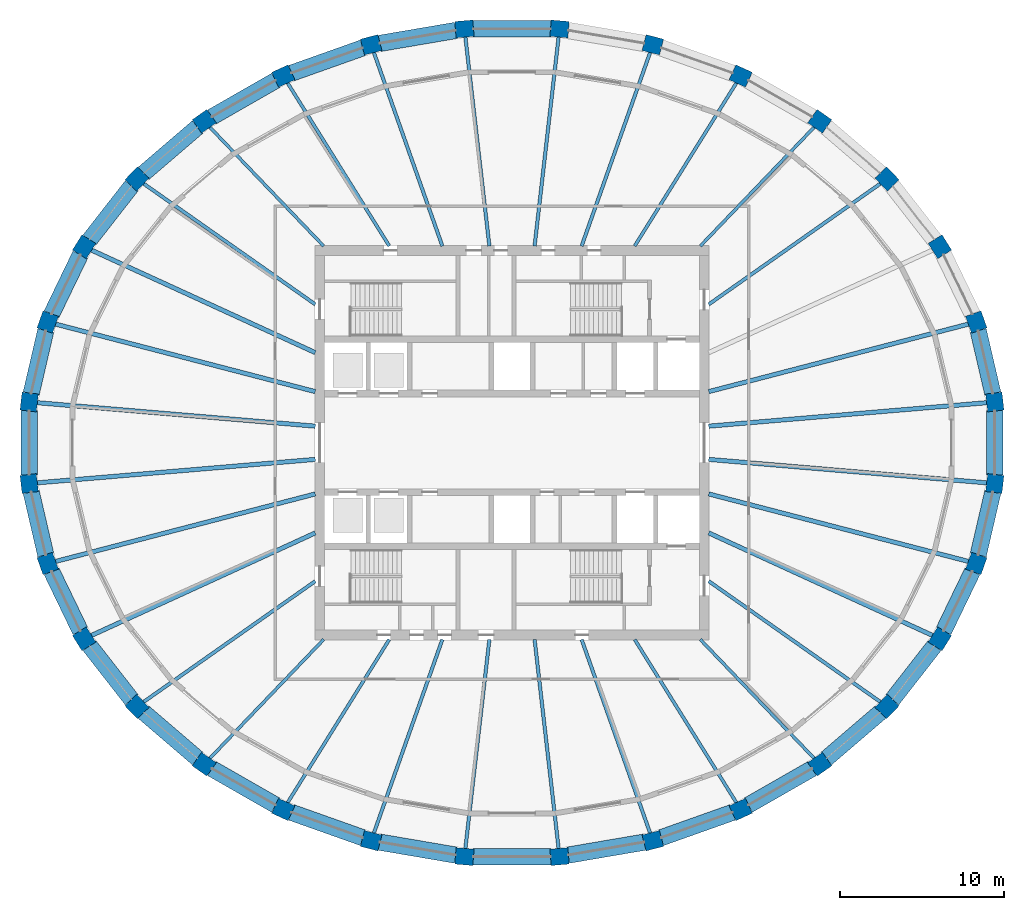
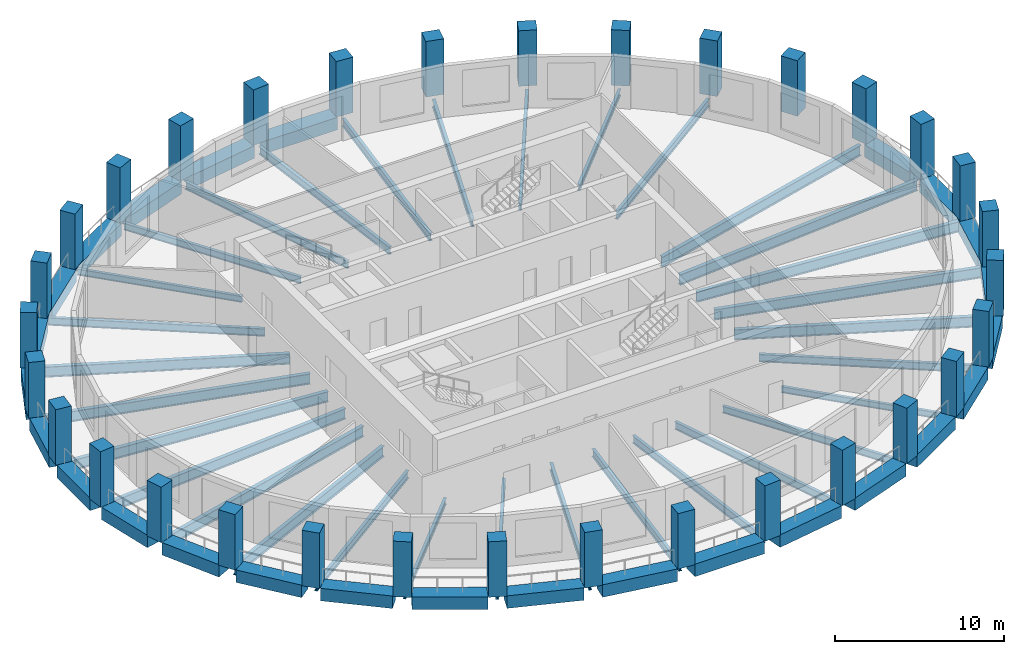
# One storey, part 1 of 10: 57 beams, 32 columns.
"""IFC4 building model written with IfcOpenShell, lengths in metres."""

import ifcopenshell
import ifcopenshell.guid

model = None  # the IFC model being written
_history = None  # IfcOwnerHistory: only IFC2X3 demands one
_inside = {}  # id of a spatial element -> (the spatial element, [elements in it])
_under = {}  # id of a project, library or spatial element -> (it, [spatial elements below it])
_declared = {}  # id of a project -> (the project, [libraries it declares])
_typed = {}  # id of a type object -> (the type object, [elements of that type])
_made_of = {}  # id of a material, layer set ... -> (it, [elements and type objects made of it])


def new_model(schema):
    """Start an empty IFC model of exactly this schema.

    Asked for "IFC4X3", IfcOpenShell would pick the latest addendum, in which some entities
    have other attributes; the version numbers below select the first issue.
    IFC2X3 requires an IfcOwnerHistory on every rooted entity: one is made here for all.
    """
    global model, _history
    if schema == "IFC4X3":
        model = ifcopenshell.file(schema_version=(4, 3, 0, 0))
    else:
        model = ifcopenshell.file(schema=schema)
    _inside.clear()
    _under.clear()
    _declared.clear()
    _typed.clear()
    _made_of.clear()
    _history = None
    if model.schema == "IFC2X3":
        org = make("IfcOrganization", Name="unknown")
        user = make(
            "IfcPersonAndOrganization",
            ThePerson=make("IfcPerson", FamilyName="unknown"),
            TheOrganization=org,
        )
        app = make(
            "IfcApplication",
            ApplicationDeveloper=org,
            Version="unknown",
            ApplicationFullName="unknown",
            ApplicationIdentifier="unknown",
        )
        _history = make(
            "IfcOwnerHistory",
            OwningUser=user,
            OwningApplication=app,
            ChangeAction="ADDED",
            CreationDate=0,
        )
    return model


def make(cls, **values):
    """One entity of the class cls with the attributes given. An attribute that is None is left unset."""
    return model.create_entity(
        cls, **{name: value for name, value in values.items() if value is not None}
    )


def rooted(cls, **values):
    """An entity with a GlobalId (a new one), such as an element, a storey or a relation."""
    return make(cls, GlobalId=ifcopenshell.guid.new(), OwnerHistory=_history, **values)


def si_unit(unit_type, name, prefix=None):
    """IfcSIUnit, for example si_unit("LENGTHUNIT", "METRE", prefix="MILLI")."""
    return make("IfcSIUnit", UnitType=unit_type, Prefix=prefix, Name=name)


def assignment(units):
    """IfcUnitAssignment: the units of a project."""
    return None if units is None else make("IfcUnitAssignment", Units=units)


def point(xyz):
    """IfcCartesianPoint."""
    return None if xyz is None else make("IfcCartesianPoint", Coordinates=xyz)


def direction(xyz):
    """IfcDirection."""
    return None if xyz is None else make("IfcDirection", DirectionRatios=xyz)


def frame(location, z_axis=None, x_axis=None):
    """IfcAxis2Placement3D, a coordinate frame: its origin and axes. An axis left out is left unset."""
    return make(
        "IfcAxis2Placement3D",
        Location=point(location),
        Axis=direction(z_axis),
        RefDirection=direction(x_axis),
    )


def frame_2d(location, x_axis=None):
    """IfcAxis2Placement2D, a coordinate frame in the plane: its origin and x axis."""
    return make(
        "IfcAxis2Placement2D", Location=point(location), RefDirection=direction(x_axis)
    )


def origin():
    """The frame at (0, 0, 0) with its axes left unset."""
    return frame((0.0, 0.0, 0.0))


def origin_2d():
    """The frame at (0, 0) in the plane with its x axis left unset."""
    return frame_2d((0.0, 0.0))


def place(relative_to, where):
    """IfcLocalPlacement: puts the frame where relative to a parent placement (None: the world)."""
    return make(
        "IfcLocalPlacement", PlacementRelTo=relative_to, RelativePlacement=where
    )


def context(
    kind, dimensions, precision=None, world=None, true_north=None, identifier=None
):
    """IfcGeometricRepresentationContext, for example the 3D "Model" context."""
    return make(
        "IfcGeometricRepresentationContext",
        ContextIdentifier=identifier,
        ContextType=kind,
        CoordinateSpaceDimension=dimensions,
        Precision=precision,
        WorldCoordinateSystem=world,
        TrueNorth=true_north,
    )


def subcontext(parent, identifier, kind, view, scale=None):
    """IfcGeometricRepresentationSubContext, for example "Body" below "Model"."""
    return make(
        "IfcGeometricRepresentationSubContext",
        ContextIdentifier=identifier,
        ContextType=kind,
        ParentContext=parent,
        TargetScale=scale,
        TargetView=view,
    )


def project(units=None, contexts=None):
    """IfcProject with its units and contexts."""
    return rooted(
        "IfcProject",
        Name="project",
        RepresentationContexts=contexts,
        UnitsInContext=assignment(units),
    )


def spatial(cls, under=None, at=None, **own):
    """A site, building, storey or space (cls), placed at a placement, below another one or the project."""
    s = rooted(cls, ObjectPlacement=at, **own)
    if under is not None:
        _under.setdefault(under.id(), (under, []))[1].append(s)
    return s


def profile(cls, at=None, kind="AREA", **sizes):
    """A parametric profile (cls). Its sizes go by their IFC names, for example OverallWidth=200.0."""
    return make(cls, ProfileType=kind, Position=at, **sizes)


def rectangle(**sizes):
    """IfcRectangleProfileDef."""
    return profile("IfcRectangleProfileDef", **sizes)


def i_section(**sizes):
    """IfcIShapeProfileDef."""
    return profile("IfcIShapeProfileDef", **sizes)


def extrude(swept, where, along, depth):
    """IfcExtrudedAreaSolid: the profile swept, set in the frame where, extruded along a direction by depth."""
    return make(
        "IfcExtrudedAreaSolid",
        SweptArea=swept,
        Position=where,
        ExtrudedDirection=direction(along),
        Depth=depth,
    )


def shape(context_of_items, identifier, shape_type, items):
    """IfcShapeRepresentation: the items that make up one representation, for example the "Body"."""
    return make(
        "IfcShapeRepresentation",
        ContextOfItems=context_of_items,
        RepresentationIdentifier=identifier,
        RepresentationType=shape_type,
        Items=items,
    )


def material(Name=None, Category=None):
    """IfcMaterial."""
    return make("IfcMaterial", Name=Name, Category=Category)


def material_profile(
    of_material, cross_section, Name=None, Category=None, Priority=None
):
    """IfcMaterialProfile: a cross section and its material."""
    return make(
        "IfcMaterialProfile",
        Name=Name,
        Material=of_material,
        Profile=cross_section,
        Priority=Priority,
        Category=Category,
    )


def profile_set(profiles, Name=None, composite=None):
    """IfcMaterialProfileSet."""
    return make(
        "IfcMaterialProfileSet",
        Name=Name,
        MaterialProfiles=profiles,
        CompositeProfile=composite,
    )


def made_of(thing, what):
    """Note that an element or type object is made of a material, layer set ...; save() writes the relation."""
    if what is not None:
        _made_of.setdefault(what.id(), (what, []))[1].append(thing)
    return thing


def type_object(cls, material=None, **own):
    """A type object (cls), such as IfcWallType, which elements share."""
    return made_of(rooted(cls, **own), material)


def element(
    cls,
    number,
    at=None,
    inside=None,
    cuts=None,
    type_object=None,
    material=None,
    context=None,
    identifier="Body",
    shape_type=None,
    held_by="IfcProductDefinitionShape",
    body=None,
    shapes=None,
    **own,
):
    """One element of the class cls, such as IfcWall. Its Tag is "e" and its number.

    at: its placement. inside: the storey or other place that contains it. cuts: it is an
    opening in that element (IfcRelVoidsElement). A single representation is given by context,
    identifier, shape_type and body (its items); several are given by shapes. held_by: the class
    of the entity that holds the representations. save() writes the other relations.
    """
    e = rooted(cls, Tag="e%d" % number, ObjectPlacement=at, **own)
    if body is not None:
        shapes = [shape(context, identifier, shape_type, body)]
    if shapes is not None:
        e.Representation = make(held_by, Representations=shapes)
    if inside is not None:
        _inside.setdefault(inside.id(), (inside, []))[1].append(e)
    if cuts is not None:
        rooted(
            "IfcRelVoidsElement", RelatingBuildingElement=cuts, RelatedOpeningElement=e
        )
    if type_object is not None:
        _typed.setdefault(type_object.id(), (type_object, []))[1].append(e)
    return made_of(e, material)


def aggregate(whole, parts):
    """IfcRelAggregates: a whole, such as a stair, and the parts it consists of."""
    return rooted("IfcRelAggregates", RelatingObject=whole, RelatedObjects=parts)


def save(model, path):
    """Write the relations noted so far, then the file.

    IfcRelAggregates (storeys below a building ...), IfcRelContainedInSpatialStructure (elements
    in a storey), IfcRelDefinesByType, IfcRelAssociatesMaterial and IfcRelDeclares: one each for
    every whole, place, type object, material and project.
    """
    for whole, parts in _under.values():
        aggregate(whole, parts)
    for where, things in _inside.values():
        rooted(
            "IfcRelContainedInSpatialStructure",
            RelatedElements=things,
            RelatingStructure=where,
        )
    for kind, things in _typed.values():
        rooted("IfcRelDefinesByType", RelatedObjects=things, RelatingType=kind)
    for what, things in _made_of.values():
        rooted("IfcRelAssociatesMaterial", RelatedObjects=things, RelatingMaterial=what)
    for by, libraries in _declared.values():
        rooted("IfcRelDeclares", RelatingContext=by, RelatedDefinitions=libraries)
    model.write(path)


model = new_model("IFC4")

# Units and contexts
model_context = context("Model", 3, precision=1e-05, world=origin(), true_north=direction((0.0, 1.0)))
body_context = subcontext(model_context, "Body", "Model", "MODEL_VIEW")
ifc_project = project(units=[si_unit("LENGTHUNIT", "METRE"), si_unit("AREAUNIT", "SQUARE_METRE"), si_unit("VOLUMEUNIT", "CUBIC_METRE"), si_unit("PLANEANGLEUNIT", "RADIAN"), si_unit("MASSUNIT", "GRAM", prefix="KILO")], contexts=[model_context])

# Site, building, storey
site_placement = place(None, origin())
site = spatial("IfcSite", under=ifc_project, at=site_placement, CompositionType="ELEMENT")
building_placement = place(site_placement, origin())
building = spatial("IfcBuilding", under=site, at=building_placement, Name="Halqa Exchange Tower", CompositionType="ELEMENT")
storey_placement = place(building_placement, frame((0.0, 0.0, 280.300048828125)))
storey = spatial("IfcBuildingStorey", under=building, at=storey_placement, Name="L65", CompositionType="ELEMENT", Elevation=280.300048828125)

# Columns
ifc_material_1 = material(Name="Concrete C60/75", Category="concrete")
ifc_material_profile_1 = material_profile(ifc_material_1, rectangle(XDim=1.10009765625, YDim=1.0, at=origin_2d()), Name="1100 x 1000")
ifc_profile_set_1 = profile_set([ifc_material_profile_1], Name="Concrete C60/75")
column_type = type_object("IfcColumnType", Name="RC ring column 1100 x 1000 C60/75", PredefinedType="COLUMN", material=ifc_profile_set_1)
for number, where, z_axis, x_axis, name in (
    (1, (29.384033203125, 2.480712890625, 0.0), (0.0, 0.0, 1.0), (-0.114155188058, 0.993462929877, 0.0), "Ring column 1"),
    (2, (28.2548828125, 7.3466796875, 0.0), (0.0, 0.0, 1.0), (-0.333619297574, 0.942707889161, 0.0), "Ring column 2"),
    (3, (26.039794921875, 11.930419921875, 0.0), (0.0, 0.0, 1.0), (-0.529143458197, 0.848532380435, 0.0), "Ring column 3"),
    (4, (22.82421875, 16.055419921875, 0.0), (0.0, 0.0, 1.0), (-0.691577351953, 0.722302406382, 0.0), "Ring column 4"),
    (5, (18.731201171875, 19.563720703125, 0.0), (0.0, 0.0, 1.0), (-0.817906779671, 0.575350762377, 0.0), "Ring column 5"),
    (6, (13.918701171875, 22.31982421875, 0.0), (0.0, 0.0, 1.0), (-0.909129276708, 0.416514055265, 0.0), "Ring column 6"),
    (7, (8.571044921875, 24.218505859375, 0.0), (0.0, 0.0, 1.0), (-0.967819942774, 0.251643713153, 0.0), "Ring column 7"),
    (8, (2.89404296875, 25.186279296875, 0.0), (0.0, 0.0, 1.0), (-0.996455518985, 0.084121333105, 0.0), "Ring column 8"),
    (9, (-2.89404296875, 25.186279296875, 0.0), (0.0, 0.0, 1.0), (-0.996455518985, -0.084121333105, 0.0), "Ring column 9"),
    (10, (-8.571044921875, 24.218505859375, 0.0), (0.0, 0.0, 1.0), (-0.967819942774, -0.251643713153, 0.0), "Ring column 10"),
    (11, (-13.918701171875, 22.31982421875, 0.0), (0.0, 0.0, 1.0), (-0.909129276708, -0.416514055265, 0.0), "Ring column 11"),
    (12, (-18.731201171875, 19.563720703125, 0.0), (0.0, 0.0, 1.0), (-0.817906779671, -0.575350762377, 0.0), "Ring column 12"),
    (13, (-22.82421875, 16.055419921875, 0.0), (0.0, 0.0, 1.0), (-0.691577351953, -0.722302406382, 0.0), "Ring column 13"),
    (14, (-26.039794921875, 11.930419921875, 0.0), (0.0, 0.0, 1.0), (-0.529143458197, -0.848532380435, 0.0), "Ring column 14"),
    (15, (-28.2548828125, 7.3466796875, 0.0), (0.0, 0.0, 1.0), (-0.333619297574, -0.942707889161, 0.0), "Ring column 15"),
    (16, (-29.384033203125, 2.480712890625, 0.0), (0.0, 0.0, 1.0), (-0.114155188058, -0.993462929877, 0.0), "Ring column 16"),
    (17, (-29.384033203125, -2.480712890625, 0.0), (0.0, 0.0, 1.0), (0.114155188058, -0.993462929877, 0.0), "Ring column 17"),
    (18, (-28.2548828125, -7.3466796875, 0.0), (0.0, 0.0, 1.0), (0.333619297574, -0.942707889161, 0.0), "Ring column 18"),
    (19, (-26.039794921875, -11.930419921875, 0.0), (0.0, 0.0, 1.0), (0.529143458197, -0.848532380435, 0.0), "Ring column 19"),
    (20, (-22.82421875, -16.055419921875, 0.0), (0.0, 0.0, 1.0), (0.691577351953, -0.722302406382, 0.0), "Ring column 20"),
    (21, (-18.731201171875, -19.563720703125, 0.0), (0.0, 0.0, 1.0), (0.817906779671, -0.575350762377, 0.0), "Ring column 21"),
    (22, (-13.918701171875, -22.31982421875, 0.0), (0.0, 0.0, 1.0), (0.909129276708, -0.416514055265, 0.0), "Ring column 22"),
    (23, (-8.571044921875, -24.218505859375, 0.0), (0.0, 0.0, 1.0), (0.967819942774, -0.251643713153, 0.0), "Ring column 23"),
    (24, (-2.89404296875, -25.186279296875, 0.0), (0.0, 0.0, 1.0), (0.996455518985, -0.084121333105, 0.0), "Ring column 24"),
    (25, (2.89404296875, -25.186279296875, 0.0), (0.0, 0.0, 1.0), (0.996455518985, 0.084121333105, 0.0), "Ring column 25"),
    (26, (8.571044921875, -24.218505859375, 0.0), (0.0, 0.0, 1.0), (0.967819942774, 0.251643713153, 0.0), "Ring column 26"),
    (27, (13.918701171875, -22.31982421875, 0.0), (0.0, 0.0, 1.0), (0.909129276708, 0.416514055265, 0.0), "Ring column 27"),
    (28, (18.731201171875, -19.563720703125, 0.0), (0.0, 0.0, 1.0), (0.817906779671, 0.575350762377, 0.0), "Ring column 28"),
    (29, (22.82421875, -16.055419921875, 0.0), (0.0, 0.0, 1.0), (0.691577351953, 0.722302406382, 0.0), "Ring column 29"),
    (30, (26.039794921875, -11.930419921875, 0.0), (0.0, 0.0, 1.0), (0.529143458197, 0.848532380435, 0.0), "Ring column 30"),
    (31, (28.2548828125, -7.3466796875, 0.0), (0.0, 0.0, 1.0), (0.333619297574, 0.942707889161, 0.0), "Ring column 31"),
    (32, (29.384033203125, -2.480712890625, 0.0), (0.0, 0.0, 1.0), (0.114155188058, 0.993462929877, 0.0), "Ring column 32"),
):
    element("IfcColumn", number, at=place(storey_placement, frame(where, z_axis=z_axis, x_axis=x_axis)), inside=storey, type_object=column_type, Name=name, PredefinedType="COLUMN", context=body_context, shape_type="SweptSolid", body=[
        extrude(rectangle(XDim=1.10009765625, YDim=1.0, at=origin_2d()), origin(), (0.0, 0.0, 1.0), 4.0),
    ])

# Beams
ifc_material_2 = material(Name="Steel S355", Category="steel")
ifc_material_profile_2 = material_profile(ifc_material_2, i_section(OverallWidth=0.18994140625, OverallDepth=0.449951171875, WebThickness=0.009521484375, FlangeThickness=0.0146484375, FilletRadius=0.02099609375, at=origin_2d()), Name="IPE 450")
ifc_profile_set_2 = profile_set([ifc_material_profile_2], Name="Steel S355")
beam_type_1 = type_object("IfcBeamType", Name="Floor beam IPE 450", PredefinedType="BEAM", material=ifc_profile_set_2)
for number, where, z_axis, x_axis, name in (
    (33, (11.462890625, 11.97216796875, -0.525146484375), (0.691569359683, 0.722310058595, 0.0), (-0.722310058595, 0.691569359683, 0.0), "Radial beam 5"),
    (34, (-11.462890625, 11.97216796875, -0.525146484375), (-0.691569359683, 0.722310058595, 0.0), (-0.722310058595, -0.691569359683, 0.0), "Radial beam 12"),
    (35, (-11.462890625, -11.97216796875, -0.525146484375), (-0.691569359683, -0.722310058595, 0.0), (0.722310058595, -0.691569359683, 0.0), "Radial beam 21"),
    (36, (11.462890625, -11.97216796875, -0.525146484375), (0.691569359683, -0.722310058595, 0.0), (0.722310058595, 0.691569359683, 0.0), "Radial beam 28"),
):
    element("IfcBeam", number, at=place(storey_placement, frame(where, z_axis=z_axis, x_axis=x_axis)), inside=storey, type_object=beam_type_1, Name=name, PredefinedType="BEAM", context=body_context, shape_type="SweptSolid", body=[
        extrude(i_section(OverallWidth=0.18994140625, OverallDepth=0.449951171875, WebThickness=0.009521484375, FlangeThickness=0.0146484375, FilletRadius=0.02099609375, at=origin_2d()), origin(), (0.0, 0.0, 1.0), 10.1337890625),
    ])
ifc_material_profile_3 = material_profile(ifc_material_2, i_section(OverallWidth=0.199951171875, OverallDepth=0.5, WebThickness=0.01025390625, FlangeThickness=0.01611328125, FilletRadius=0.02099609375, at=origin_2d()), Name="IPE 500")
ifc_profile_set_3 = profile_set([ifc_material_profile_3], Name="Steel S355")
beam_type_2 = type_object("IfcBeamType", Name="Floor beam IPE 500", PredefinedType="BEAM", material=ifc_profile_set_3)
for number, where, z_axis, x_axis, name in (
    (37, (7.4658203125, 11.97216796875, -0.550048828125), (0.529125964216, 0.848543289404, 0.0), (-0.848543289404, 0.529125964216, 0.0), "Radial beam 6"),
    (38, (-7.4658203125, 11.97216796875, -0.550048828125), (-0.529125964216, 0.848543289404, 0.0), (-0.848543289404, -0.529125964216, 0.0), "Radial beam 11"),
    (39, (-7.4658203125, -11.97216796875, -0.550048828125), (-0.529125964216, -0.848543289404, 0.0), (0.848543289404, -0.529125964216, 0.0), "Radial beam 22"),
    (40, (7.4658203125, -11.97216796875, -0.550048828125), (0.529125964216, -0.848543289404, 0.0), (0.848543289404, 0.529125964216, 0.0), "Radial beam 27"),
):
    element("IfcBeam", number, at=place(storey_placement, frame(where, z_axis=z_axis, x_axis=x_axis)), inside=storey, type_object=beam_type_2, Name=name, PredefinedType="BEAM", context=body_context, shape_type="SweptSolid", body=[
        extrude(i_section(OverallWidth=0.199951171875, OverallDepth=0.5, WebThickness=0.01025390625, FlangeThickness=0.01611328125, FilletRadius=0.02099609375, at=origin_2d()), origin(), (0.0, 0.0, 1.0), 11.81884765625),
    ])
ifc_material_profile_4 = material_profile(ifc_material_2, i_section(OverallWidth=0.2099609375, OverallDepth=0.550048828125, WebThickness=0.010986328125, FlangeThickness=0.01708984375, FilletRadius=0.02392578125, at=origin_2d()), Name="IPE 550")
ifc_profile_set_4 = profile_set([ifc_material_profile_4], Name="Steel S355")
beam_type_3 = type_object("IfcBeamType", Name="Floor beam IPE 550", PredefinedType="BEAM", material=ifc_profile_set_4)
beam_1_placement = place(storey_placement, frame((11.97265625, 8.422119140625, -0.574951171875), z_axis=(0.817909403021, 0.575347033059, 0.0), x_axis=(-0.575347033059, 0.817909403021, 0.0)))
element("IfcBeam", 41, at=beam_1_placement, inside=storey, type_object=beam_type_3, Name="Radial beam 4", PredefinedType="BEAM", context=body_context, shape_type="SweptSolid", body=[
    extrude(i_section(OverallWidth=0.2099609375, OverallDepth=0.550048828125, WebThickness=0.010986328125, FlangeThickness=0.01708984375, FilletRadius=0.02392578125, at=origin_2d()), origin(), (0.0, 0.0, 1.0), 12.891357421875),
])
beam_2_placement = place(storey_placement, frame((4.23681640625, 11.971923828125, -0.574951171875), z_axis=(0.333635796759, 0.942702050025, 0.0), x_axis=(-0.942702050025, 0.333635796759, 0.0)))
element("IfcBeam", 42, at=beam_2_placement, inside=storey, type_object=beam_type_3, Name="Radial beam 7", PredefinedType="BEAM", context=body_context, shape_type="SweptSolid", body=[
    extrude(i_section(OverallWidth=0.2099609375, OverallDepth=0.550048828125, WebThickness=0.010986328125, FlangeThickness=0.01708984375, FilletRadius=0.02392578125, at=origin_2d()), origin(), (0.0, 0.0, 1.0), 12.616943359375),
])
for number, where, z_axis, x_axis, name in (
    (43, (1.37548828125, 11.9716796875, -0.574951171875), (0.114161112219, 0.993462249135, 0.0), (-0.993462249135, 0.114161112219, 0.0), "Radial beam 8"),
    (44, (-1.37548828125, 11.9716796875, -0.574951171875), (-0.114161112219, 0.993462249135, 0.0), (-0.993462249135, -0.114161112219, 0.0), "Radial beam 9"),
):
    element("IfcBeam", number, at=place(storey_placement, frame(where, z_axis=z_axis, x_axis=x_axis)), inside=storey, type_object=beam_type_3, Name=name, PredefinedType="BEAM", context=body_context, shape_type="SweptSolid", body=[
        extrude(i_section(OverallWidth=0.2099609375, OverallDepth=0.550048828125, WebThickness=0.010986328125, FlangeThickness=0.01708984375, FilletRadius=0.02392578125, at=origin_2d()), origin(), (0.0, 0.0, 1.0), 12.9296875),
    ])
beam_3_placement = place(storey_placement, frame((-4.23681640625, 11.971923828125, -0.574951171875), z_axis=(-0.333635796759, 0.942702050025, 0.0), x_axis=(-0.942702050025, -0.333635796759, 0.0)))
element("IfcBeam", 45, at=beam_3_placement, inside=storey, type_object=beam_type_3, Name="Radial beam 10", PredefinedType="BEAM", context=body_context, shape_type="SweptSolid", body=[
    extrude(i_section(OverallWidth=0.2099609375, OverallDepth=0.550048828125, WebThickness=0.010986328125, FlangeThickness=0.01708984375, FilletRadius=0.02392578125, at=origin_2d()), origin(), (0.0, 0.0, 1.0), 12.616943359375),
])
for number, where, z_axis, x_axis, name in (
    (46, (-11.97265625, 8.422119140625, -0.574951171875), (-0.817909403021, 0.575347033059, 0.0), (-0.575347033059, -0.817909403021, 0.0), "Radial beam 13"),
    (47, (-11.97265625, -8.422119140625, -0.574951171875), (-0.817909403021, -0.575347033059, 0.0), (0.575347033059, -0.817909403021, 0.0), "Radial beam 20"),
):
    element("IfcBeam", number, at=place(storey_placement, frame(where, z_axis=z_axis, x_axis=x_axis)), inside=storey, type_object=beam_type_3, Name=name, PredefinedType="BEAM", context=body_context, shape_type="SweptSolid", body=[
        extrude(i_section(OverallWidth=0.2099609375, OverallDepth=0.550048828125, WebThickness=0.010986328125, FlangeThickness=0.01708984375, FilletRadius=0.02392578125, at=origin_2d()), origin(), (0.0, 0.0, 1.0), 12.891357421875),
    ])
beam_4_placement = place(storey_placement, frame((-4.23681640625, -11.971923828125, -0.574951171875), z_axis=(-0.333635796759, -0.942702050025, 0.0), x_axis=(0.942702050025, -0.333635796759, 0.0)))
element("IfcBeam", 48, at=beam_4_placement, inside=storey, type_object=beam_type_3, Name="Radial beam 23", PredefinedType="BEAM", context=body_context, shape_type="SweptSolid", body=[
    extrude(i_section(OverallWidth=0.2099609375, OverallDepth=0.550048828125, WebThickness=0.010986328125, FlangeThickness=0.01708984375, FilletRadius=0.02392578125, at=origin_2d()), origin(), (0.0, 0.0, 1.0), 12.616943359375),
])
for number, where, z_axis, x_axis, name in (
    (49, (-1.37548828125, -11.9716796875, -0.574951171875), (-0.114161112219, -0.993462249135, 0.0), (0.993462249135, -0.114161112219, 0.0), "Radial beam 24"),
    (50, (1.37548828125, -11.9716796875, -0.574951171875), (0.114161112219, -0.993462249135, 0.0), (0.993462249135, 0.114161112219, 0.0), "Radial beam 25"),
):
    element("IfcBeam", number, at=place(storey_placement, frame(where, z_axis=z_axis, x_axis=x_axis)), inside=storey, type_object=beam_type_3, Name=name, PredefinedType="BEAM", context=body_context, shape_type="SweptSolid", body=[
        extrude(i_section(OverallWidth=0.2099609375, OverallDepth=0.550048828125, WebThickness=0.010986328125, FlangeThickness=0.01708984375, FilletRadius=0.02392578125, at=origin_2d()), origin(), (0.0, 0.0, 1.0), 12.9296875),
    ])
beam_5_placement = place(storey_placement, frame((4.23681640625, -11.971923828125, -0.574951171875), z_axis=(0.333635796759, -0.942702050025, 0.0), x_axis=(0.942702050025, 0.333635796759, 0.0)))
element("IfcBeam", 51, at=beam_5_placement, inside=storey, type_object=beam_type_3, Name="Radial beam 26", PredefinedType="BEAM", context=body_context, shape_type="SweptSolid", body=[
    extrude(i_section(OverallWidth=0.2099609375, OverallDepth=0.550048828125, WebThickness=0.010986328125, FlangeThickness=0.01708984375, FilletRadius=0.02392578125, at=origin_2d()), origin(), (0.0, 0.0, 1.0), 12.616943359375),
])
beam_6_placement = place(storey_placement, frame((11.97265625, -8.422119140625, -0.574951171875), z_axis=(0.817909403021, -0.575347033059, 0.0), x_axis=(0.575347033059, 0.817909403021, 0.0)))
element("IfcBeam", 52, at=beam_6_placement, inside=storey, type_object=beam_type_3, Name="Radial beam 29", PredefinedType="BEAM", context=body_context, shape_type="SweptSolid", body=[
    extrude(i_section(OverallWidth=0.2099609375, OverallDepth=0.550048828125, WebThickness=0.010986328125, FlangeThickness=0.01708984375, FilletRadius=0.02392578125, at=origin_2d()), origin(), (0.0, 0.0, 1.0), 12.891357421875),
])
ifc_material_profile_5 = material_profile(ifc_material_2, i_section(OverallWidth=0.264892578125, OverallDepth=0.7529296875, WebThickness=0.01318359375, FlangeThickness=0.01708984375, FilletRadius=0.01708984375, at=origin_2d()), Name="IPE 750x147")
ifc_profile_set_5 = profile_set([ifc_material_profile_5], Name="Steel S355")
beam_type_4 = type_object("IfcBeamType", Name="Floor beam IPE 750x147", PredefinedType="BEAM", material=ifc_profile_set_5)
beam_7_placement = place(storey_placement, frame((11.972900390625, 1.0107421875, -0.676513671875), z_axis=(0.9964559812, 0.084115857779, 0.0), x_axis=(-0.084115857779, 0.9964559812, 0.0)))
element("IfcBeam", 53, at=beam_7_placement, inside=storey, type_object=beam_type_4, Name="Radial beam 1", PredefinedType="BEAM", context=body_context, shape_type="SweptSolid", body=[
    extrude(i_section(OverallWidth=0.264892578125, OverallDepth=0.7529296875, WebThickness=0.01318359375, FlangeThickness=0.01708984375, FilletRadius=0.01708984375, at=origin_2d()), origin(), (0.0, 0.0, 1.0), 17.10107421875),
])
beam_8_placement = place(storey_placement, frame((11.97265625, 3.113037109375, -0.676513671875), z_axis=(0.967820121155, 0.2516430271, 0.0), x_axis=(-0.2516430271, 0.967820121155, 0.0)))
element("IfcBeam", 54, at=beam_8_placement, inside=storey, type_object=beam_type_4, Name="Radial beam 2", PredefinedType="BEAM", context=body_context, shape_type="SweptSolid", body=[
    extrude(i_section(OverallWidth=0.264892578125, OverallDepth=0.7529296875, WebThickness=0.01318359375, FlangeThickness=0.01708984375, FilletRadius=0.01708984375, at=origin_2d()), origin(), (0.0, 0.0, 1.0), 16.449462890625),
])
beam_9_placement = place(storey_placement, frame((-11.972412109375, 5.4853515625, -0.676513671875), z_axis=(-0.909129124533, 0.416514387417, 0.0), x_axis=(-0.416514387417, -0.909129124533, 0.0)))
element("IfcBeam", 55, at=beam_9_placement, inside=storey, type_object=beam_type_4, Name="Radial beam 14", PredefinedType="BEAM", context=body_context, shape_type="SweptSolid", body=[
    extrude(i_section(OverallWidth=0.264892578125, OverallDepth=0.7529296875, WebThickness=0.01318359375, FlangeThickness=0.01708984375, FilletRadius=0.01708984375, at=origin_2d()), origin(), (0.0, 0.0, 1.0), 15.097412109375),
])
beam_10_placement = place(storey_placement, frame((-11.97265625, 3.113037109375, -0.676513671875), z_axis=(-0.967820121155, 0.2516430271, 0.0), x_axis=(-0.2516430271, -0.967820121155, 0.0)))
element("IfcBeam", 56, at=beam_10_placement, inside=storey, type_object=beam_type_4, Name="Radial beam 15", PredefinedType="BEAM", context=body_context, shape_type="SweptSolid", body=[
    extrude(i_section(OverallWidth=0.264892578125, OverallDepth=0.7529296875, WebThickness=0.01318359375, FlangeThickness=0.01708984375, FilletRadius=0.01708984375, at=origin_2d()), origin(), (0.0, 0.0, 1.0), 16.449462890625),
])
for number, where, z_axis, x_axis, name in (
    (57, (-11.972900390625, 1.0107421875, -0.676513671875), (-0.9964559812, 0.084115857779, 0.0), (-0.084115857779, -0.9964559812, 0.0), "Radial beam 16"),
    (58, (-11.972900390625, -1.0107421875, -0.676513671875), (-0.9964559812, -0.084115857779, 0.0), (0.084115857779, -0.9964559812, 0.0), "Radial beam 17"),
):
    element("IfcBeam", number, at=place(storey_placement, frame(where, z_axis=z_axis, x_axis=x_axis)), inside=storey, type_object=beam_type_4, Name=name, PredefinedType="BEAM", context=body_context, shape_type="SweptSolid", body=[
        extrude(i_section(OverallWidth=0.264892578125, OverallDepth=0.7529296875, WebThickness=0.01318359375, FlangeThickness=0.01708984375, FilletRadius=0.01708984375, at=origin_2d()), origin(), (0.0, 0.0, 1.0), 17.10107421875),
    ])
beam_11_placement = place(storey_placement, frame((-11.97265625, -3.113037109375, -0.676513671875), z_axis=(-0.967820121155, -0.2516430271, 0.0), x_axis=(0.2516430271, -0.967820121155, 0.0)))
element("IfcBeam", 59, at=beam_11_placement, inside=storey, type_object=beam_type_4, Name="Radial beam 18", PredefinedType="BEAM", context=body_context, shape_type="SweptSolid", body=[
    extrude(i_section(OverallWidth=0.264892578125, OverallDepth=0.7529296875, WebThickness=0.01318359375, FlangeThickness=0.01708984375, FilletRadius=0.01708984375, at=origin_2d()), origin(), (0.0, 0.0, 1.0), 16.449462890625),
])
for number, where, z_axis, x_axis, name in (
    (60, (-11.972412109375, -5.4853515625, -0.676513671875), (-0.909129124533, -0.416514387417, 0.0), (0.416514387417, -0.909129124533, 0.0), "Radial beam 19"),
    (61, (11.972412109375, -5.4853515625, -0.676513671875), (0.909129124533, -0.416514387417, 0.0), (0.416514387417, 0.909129124533, 0.0), "Radial beam 30"),
):
    element("IfcBeam", number, at=place(storey_placement, frame(where, z_axis=z_axis, x_axis=x_axis)), inside=storey, type_object=beam_type_4, Name=name, PredefinedType="BEAM", context=body_context, shape_type="SweptSolid", body=[
        extrude(i_section(OverallWidth=0.264892578125, OverallDepth=0.7529296875, WebThickness=0.01318359375, FlangeThickness=0.01708984375, FilletRadius=0.01708984375, at=origin_2d()), origin(), (0.0, 0.0, 1.0), 15.097412109375),
    ])
beam_12_placement = place(storey_placement, frame((11.97265625, -3.113037109375, -0.676513671875), z_axis=(0.967820121155, -0.2516430271, 0.0), x_axis=(0.2516430271, 0.967820121155, 0.0)))
element("IfcBeam", 62, at=beam_12_placement, inside=storey, type_object=beam_type_4, Name="Radial beam 31", PredefinedType="BEAM", context=body_context, shape_type="SweptSolid", body=[
    extrude(i_section(OverallWidth=0.264892578125, OverallDepth=0.7529296875, WebThickness=0.01318359375, FlangeThickness=0.01708984375, FilletRadius=0.01708984375, at=origin_2d()), origin(), (0.0, 0.0, 1.0), 16.449462890625),
])
beam_13_placement = place(storey_placement, frame((11.972900390625, -1.0107421875, -0.676513671875), z_axis=(0.9964559812, -0.084115857779, 0.0), x_axis=(0.084115857779, 0.9964559812, 0.0)))
element("IfcBeam", 63, at=beam_13_placement, inside=storey, type_object=beam_type_4, Name="Radial beam 32", PredefinedType="BEAM", context=body_context, shape_type="SweptSolid", body=[
    extrude(i_section(OverallWidth=0.264892578125, OverallDepth=0.7529296875, WebThickness=0.01318359375, FlangeThickness=0.01708984375, FilletRadius=0.01708984375, at=origin_2d()), origin(), (0.0, 0.0, 1.0), 17.10107421875),
])
ifc_material_profile_6 = material_profile(ifc_material_1, rectangle(XDim=1.0, YDim=0.89990234375, at=origin_2d()), Name="1000 x 900")
ifc_profile_set_6 = profile_set([ifc_material_profile_6], Name="Concrete C60/75")
beam_type_5 = type_object("IfcBeamType", Name="RC spandrel beam 1000 x 900 C60/75", PredefinedType="SPANDREL", material=ifc_profile_set_6)
beam_14_placement = place(storey_placement, frame((29.265380859375, 2.99169921875, -0.449951171875), z_axis=(-0.226030079341, 0.97412032277, 0.0), x_axis=(-0.97412032277, -0.226030079341, 0.0)))
element("IfcBeam", 64, at=beam_14_placement, inside=storey, type_object=beam_type_5, Name="Spandrel 1", PredefinedType="SPANDREL", context=body_context, shape_type="SweptSolid", body=[
    extrude(rectangle(XDim=1.0, YDim=0.89990234375, at=origin_2d()), origin(), (0.0, 0.0, 1.0), 3.944580078125),
])
beam_15_placement = place(storey_placement, frame((2.370361328125, 25.186279296875, -0.449951171875), z_axis=(-1.0, 0.0, 0.0), x_axis=(0.0, -1.0, 0.0)))
element("IfcBeam", 65, at=beam_15_placement, inside=storey, type_object=beam_type_5, Name="Spandrel 8", PredefinedType="SPANDREL", context=body_context, shape_type="SweptSolid", body=[
    extrude(rectangle(XDim=1.0, YDim=0.89990234375, at=origin_2d()), origin(), (0.0, 0.0, 1.0), 4.74072265625),
])
beam_16_placement = place(storey_placement, frame((-3.410400390625, 25.098388671875, -0.449951171875), z_axis=(-0.985774984222, -0.168070462848, 0.0), x_axis=(0.168070462848, -0.985774984222, 0.0)))
element("IfcBeam", 66, at=beam_16_placement, inside=storey, type_object=beam_type_5, Name="Spandrel 9", PredefinedType="SPANDREL", context=body_context, shape_type="SweptSolid", body=[
    extrude(rectangle(XDim=1.0, YDim=0.89990234375, at=origin_2d()), origin(), (0.0, 0.0, 1.0), 4.710693359375),
])
beam_17_placement = place(storey_placement, frame((-9.065673828125, 24.04296875, -0.449951171875), z_axis=(-0.942367104473, -0.334580693418, 0.0), x_axis=(0.334580693418, -0.942367104473, 0.0)))
element("IfcBeam", 67, at=beam_17_placement, inside=storey, type_object=beam_type_5, Name="Spandrel 10", PredefinedType="SPANDREL", context=body_context, shape_type="SweptSolid", body=[
    extrude(rectangle(XDim=1.0, YDim=0.89990234375, at=origin_2d()), origin(), (0.0, 0.0, 1.0), 4.626220703125),
])
beam_18_placement = place(storey_placement, frame((-14.373779296875, 22.05908203125, -0.449951171875), z_axis=(-0.867761736786, -0.496980450492, 0.0), x_axis=(0.496980450492, -0.867761736786, 0.0)))
element("IfcBeam", 68, at=beam_18_placement, inside=storey, type_object=beam_type_5, Name="Spandrel 11", PredefinedType="SPANDREL", context=body_context, shape_type="SweptSolid", body=[
    extrude(rectangle(XDim=1.0, YDim=0.89990234375, at=origin_2d()), origin(), (0.0, 0.0, 1.0), 4.497802734375),
])
beam_19_placement = place(storey_placement, frame((-19.129638671875, 19.22216796875, -0.449951171875), z_axis=(-0.759256602365, -0.650791373456, 0.0), x_axis=(0.650791373456, -0.759256602365, 0.0)))
element("IfcBeam", 69, at=beam_19_placement, inside=storey, type_object=beam_type_5, Name="Spandrel 12", PredefinedType="SPANDREL", context=body_context, shape_type="SweptSolid", body=[
    extrude(rectangle(XDim=1.0, YDim=0.89990234375, at=origin_2d()), origin(), (0.0, 0.0, 1.0), 4.342041015625),
])
beam_20_placement = place(storey_placement, frame((-23.147216796875, 15.64111328125, -0.449951171875), z_axis=(-0.614781231149, -0.788697684684, 0.0), x_axis=(0.788697684684, -0.614781231149, 0.0)))
element("IfcBeam", 70, at=beam_20_placement, inside=storey, type_object=beam_type_5, Name="Spandrel 13", PredefinedType="SPANDREL", context=body_context, shape_type="SweptSolid", body=[
    extrude(rectangle(XDim=1.0, YDim=0.89990234375, at=origin_2d()), origin(), (0.0, 0.0, 1.0), 4.180419921875),
])
beam_21_placement = place(storey_placement, frame((-26.268798828125, 11.456787109375, -0.449951171875), z_axis=(-0.435061697702, -0.90040064371, 0.0), x_axis=(0.90040064371, -0.435061697702, 0.0)))
element("IfcBeam", 71, at=beam_21_placement, inside=storey, type_object=beam_type_5, Name="Spandrel 14", PredefinedType="SPANDREL", context=body_context, shape_type="SweptSolid", body=[
    extrude(rectangle(XDim=1.0, YDim=0.89990234375, at=origin_2d()), origin(), (0.0, 0.0, 1.0), 4.039794921875),
])
beam_22_placement = place(storey_placement, frame((-28.373779296875, 6.834228515625, -0.449951171875), z_axis=(-0.226030079341, -0.97412032277, 0.0), x_axis=(0.97412032277, -0.226030079341, 0.0)))
element("IfcBeam", 72, at=beam_22_placement, inside=storey, type_object=beam_type_5, Name="Spandrel 15", PredefinedType="SPANDREL", context=body_context, shape_type="SweptSolid", body=[
    extrude(rectangle(XDim=1.0, YDim=0.89990234375, at=origin_2d()), origin(), (0.0, 0.0, 1.0), 3.944580078125),
])
beam_23_placement = place(storey_placement, frame((-29.384033203125, 1.95556640625, -0.449951171875), z_axis=(0.0, -1.0, 0.0), x_axis=(1.0, 0.0, 0.0)))
element("IfcBeam", 73, at=beam_23_placement, inside=storey, type_object=beam_type_5, Name="Spandrel 16", PredefinedType="SPANDREL", context=body_context, shape_type="SweptSolid", body=[
    extrude(rectangle(XDim=1.0, YDim=0.89990234375, at=origin_2d()), origin(), (0.0, 0.0, 1.0), 3.9111328125),
])
beam_24_placement = place(storey_placement, frame((-29.265380859375, -2.99169921875, -0.449951171875), z_axis=(0.226030079341, -0.97412032277, 0.0), x_axis=(0.97412032277, 0.226030079341, 0.0)))
element("IfcBeam", 74, at=beam_24_placement, inside=storey, type_object=beam_type_5, Name="Spandrel 17", PredefinedType="SPANDREL", context=body_context, shape_type="SweptSolid", body=[
    extrude(rectangle(XDim=1.0, YDim=0.89990234375, at=origin_2d()), origin(), (0.0, 0.0, 1.0), 3.944580078125),
])
beam_25_placement = place(storey_placement, frame((-28.0263671875, -7.8193359375, -0.449951171875), z_axis=(0.435061697702, -0.90040064371, 0.0), x_axis=(0.90040064371, 0.435061697702, 0.0)))
element("IfcBeam", 75, at=beam_25_placement, inside=storey, type_object=beam_type_5, Name="Spandrel 18", PredefinedType="SPANDREL", context=body_context, shape_type="SweptSolid", body=[
    extrude(rectangle(XDim=1.0, YDim=0.89990234375, at=origin_2d()), origin(), (0.0, 0.0, 1.0), 4.039794921875),
])
beam_26_placement = place(storey_placement, frame((-25.71728515625, -12.343994140625, -0.449951171875), z_axis=(0.614781231149, -0.788697684684, 0.0), x_axis=(0.788697684684, 0.614781231149, 0.0)))
element("IfcBeam", 76, at=beam_26_placement, inside=storey, type_object=beam_type_5, Name="Spandrel 19", PredefinedType="SPANDREL", context=body_context, shape_type="SweptSolid", body=[
    extrude(rectangle(XDim=1.0, YDim=0.89990234375, at=origin_2d()), origin(), (0.0, 0.0, 1.0), 4.180419921875),
])
beam_27_placement = place(storey_placement, frame((-22.42626953125, -16.396484375, -0.449951171875), z_axis=(0.759256602365, -0.650791373456, 0.0), x_axis=(0.650791373456, 0.759256602365, 0.0)))
element("IfcBeam", 77, at=beam_27_placement, inside=storey, type_object=beam_type_5, Name="Spandrel 20", PredefinedType="SPANDREL", context=body_context, shape_type="SweptSolid", body=[
    extrude(rectangle(XDim=1.0, YDim=0.89990234375, at=origin_2d()), origin(), (0.0, 0.0, 1.0), 4.342041015625),
])
beam_28_placement = place(storey_placement, frame((-18.27685546875, -19.82373046875, -0.449951171875), z_axis=(0.867761736786, -0.496980450492, 0.0), x_axis=(0.496980450492, 0.867761736786, 0.0)))
element("IfcBeam", 78, at=beam_28_placement, inside=storey, type_object=beam_type_5, Name="Spandrel 21", PredefinedType="SPANDREL", context=body_context, shape_type="SweptSolid", body=[
    extrude(rectangle(XDim=1.0, YDim=0.89990234375, at=origin_2d()), origin(), (0.0, 0.0, 1.0), 4.497802734375),
])
beam_29_placement = place(storey_placement, frame((-13.42529296875, -22.4951171875, -0.449951171875), z_axis=(0.942367104473, -0.334580693418, 0.0), x_axis=(0.334580693418, 0.942367104473, 0.0)))
element("IfcBeam", 79, at=beam_29_placement, inside=storey, type_object=beam_type_5, Name="Spandrel 22", PredefinedType="SPANDREL", context=body_context, shape_type="SweptSolid", body=[
    extrude(rectangle(XDim=1.0, YDim=0.89990234375, at=origin_2d()), origin(), (0.0, 0.0, 1.0), 4.626220703125),
])
beam_30_placement = place(storey_placement, frame((-8.05419921875, -24.306640625, -0.449951171875), z_axis=(0.985774984222, -0.168070462848, 0.0), x_axis=(0.168070462848, 0.985774984222, 0.0)))
element("IfcBeam", 80, at=beam_30_placement, inside=storey, type_object=beam_type_5, Name="Spandrel 23", PredefinedType="SPANDREL", context=body_context, shape_type="SweptSolid", body=[
    extrude(rectangle(XDim=1.0, YDim=0.89990234375, at=origin_2d()), origin(), (0.0, 0.0, 1.0), 4.710693359375),
])
beam_31_placement = place(storey_placement, frame((-2.370361328125, -25.186279296875, -0.449951171875), z_axis=(1.0, 0.0, 0.0), x_axis=(0.0, 1.0, 0.0)))
element("IfcBeam", 81, at=beam_31_placement, inside=storey, type_object=beam_type_5, Name="Spandrel 24", PredefinedType="SPANDREL", context=body_context, shape_type="SweptSolid", body=[
    extrude(rectangle(XDim=1.0, YDim=0.89990234375, at=origin_2d()), origin(), (0.0, 0.0, 1.0), 4.74072265625),
])
beam_32_placement = place(storey_placement, frame((3.410400390625, -25.098388671875, -0.449951171875), z_axis=(0.985774984222, 0.168070462848, 0.0), x_axis=(-0.168070462848, 0.985774984222, 0.0)))
element("IfcBeam", 82, at=beam_32_placement, inside=storey, type_object=beam_type_5, Name="Spandrel 25", PredefinedType="SPANDREL", context=body_context, shape_type="SweptSolid", body=[
    extrude(rectangle(XDim=1.0, YDim=0.89990234375, at=origin_2d()), origin(), (0.0, 0.0, 1.0), 4.710693359375),
])
beam_33_placement = place(storey_placement, frame((9.065673828125, -24.04296875, -0.449951171875), z_axis=(0.942367104473, 0.334580693418, 0.0), x_axis=(-0.334580693418, 0.942367104473, 0.0)))
element("IfcBeam", 83, at=beam_33_placement, inside=storey, type_object=beam_type_5, Name="Spandrel 26", PredefinedType="SPANDREL", context=body_context, shape_type="SweptSolid", body=[
    extrude(rectangle(XDim=1.0, YDim=0.89990234375, at=origin_2d()), origin(), (0.0, 0.0, 1.0), 4.626220703125),
])
beam_34_placement = place(storey_placement, frame((14.373779296875, -22.05908203125, -0.449951171875), z_axis=(0.867761736786, 0.496980450492, 0.0), x_axis=(-0.496980450492, 0.867761736786, 0.0)))
element("IfcBeam", 84, at=beam_34_placement, inside=storey, type_object=beam_type_5, Name="Spandrel 27", PredefinedType="SPANDREL", context=body_context, shape_type="SweptSolid", body=[
    extrude(rectangle(XDim=1.0, YDim=0.89990234375, at=origin_2d()), origin(), (0.0, 0.0, 1.0), 4.497802734375),
])
beam_35_placement = place(storey_placement, frame((19.129638671875, -19.22216796875, -0.449951171875), z_axis=(0.759256602365, 0.650791373456, 0.0), x_axis=(-0.650791373456, 0.759256602365, 0.0)))
element("IfcBeam", 85, at=beam_35_placement, inside=storey, type_object=beam_type_5, Name="Spandrel 28", PredefinedType="SPANDREL", context=body_context, shape_type="SweptSolid", body=[
    extrude(rectangle(XDim=1.0, YDim=0.89990234375, at=origin_2d()), origin(), (0.0, 0.0, 1.0), 4.342041015625),
])
beam_36_placement = place(storey_placement, frame((23.147216796875, -15.64111328125, -0.449951171875), z_axis=(0.614781231149, 0.788697684684, 0.0), x_axis=(-0.788697684684, 0.614781231149, 0.0)))
element("IfcBeam", 86, at=beam_36_placement, inside=storey, type_object=beam_type_5, Name="Spandrel 29", PredefinedType="SPANDREL", context=body_context, shape_type="SweptSolid", body=[
    extrude(rectangle(XDim=1.0, YDim=0.89990234375, at=origin_2d()), origin(), (0.0, 0.0, 1.0), 4.180419921875),
])
beam_37_placement = place(storey_placement, frame((26.268798828125, -11.456787109375, -0.449951171875), z_axis=(0.435061697702, 0.90040064371, 0.0), x_axis=(-0.90040064371, 0.435061697702, 0.0)))
element("IfcBeam", 87, at=beam_37_placement, inside=storey, type_object=beam_type_5, Name="Spandrel 30", PredefinedType="SPANDREL", context=body_context, shape_type="SweptSolid", body=[
    extrude(rectangle(XDim=1.0, YDim=0.89990234375, at=origin_2d()), origin(), (0.0, 0.0, 1.0), 4.039794921875),
])
beam_38_placement = place(storey_placement, frame((28.373779296875, -6.834228515625, -0.449951171875), z_axis=(0.226030079341, 0.97412032277, 0.0), x_axis=(-0.97412032277, 0.226030079341, 0.0)))
element("IfcBeam", 88, at=beam_38_placement, inside=storey, type_object=beam_type_5, Name="Spandrel 31", PredefinedType="SPANDREL", context=body_context, shape_type="SweptSolid", body=[
    extrude(rectangle(XDim=1.0, YDim=0.89990234375, at=origin_2d()), origin(), (0.0, 0.0, 1.0), 3.944580078125),
])
beam_39_placement = place(storey_placement, frame((29.384033203125, -1.95556640625, -0.449951171875), z_axis=(0.0, 1.0, 0.0), x_axis=(-1.0, 0.0, 0.0)))
element("IfcBeam", 89, at=beam_39_placement, inside=storey, type_object=beam_type_5, Name="Spandrel 32", PredefinedType="SPANDREL", context=body_context, shape_type="SweptSolid", body=[
    extrude(rectangle(XDim=1.0, YDim=0.89990234375, at=origin_2d()), origin(), (0.0, 0.0, 1.0), 3.9111328125),
])

save(model, "model.ifc")
